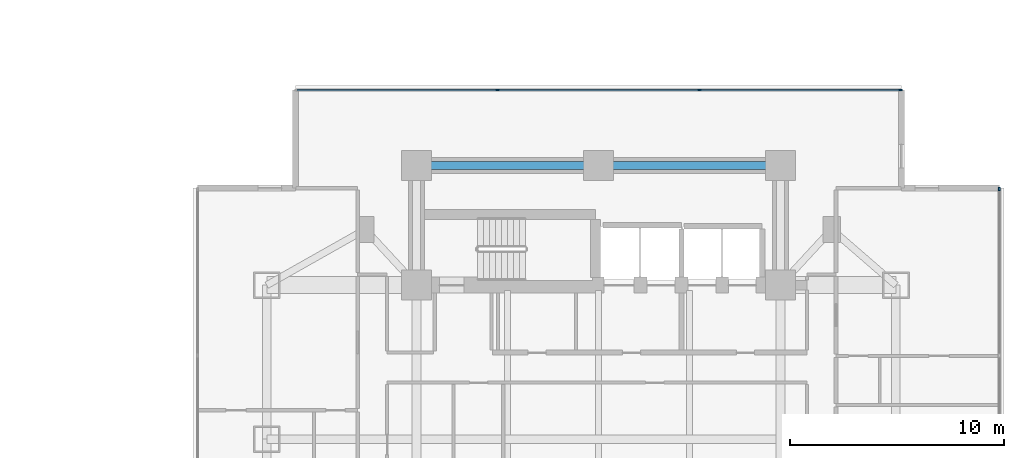
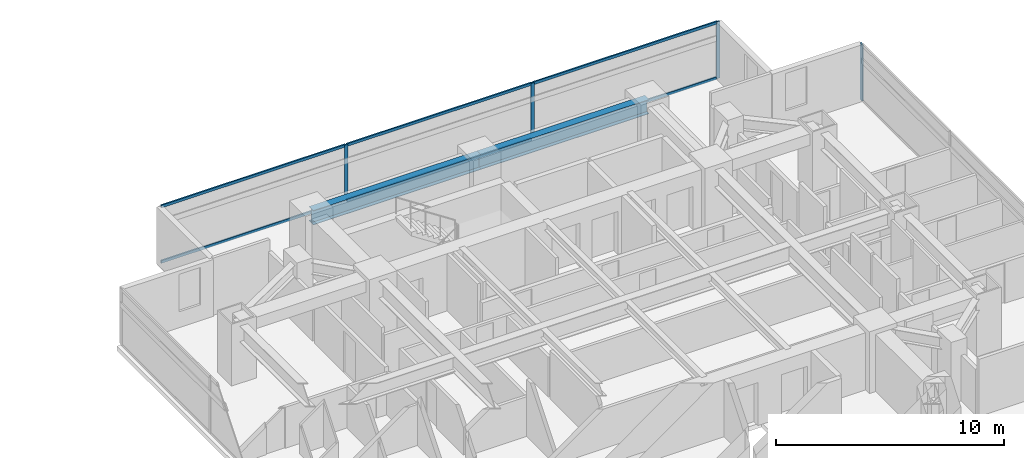
# One storey, part 11 of 25: 10 members, 2 beams, 2 elements without a shape of their own.
"""IFC4 building model written with IfcOpenShell, lengths in metres."""

from ifc_helpers import new_model, si_unit, direction, frame, origin, origin_2d, place, context, subcontext, project, spatial, rectangle, i_section, extrude, material, material_profile, profile_set, type_object, element, aggregate, save


model = new_model("IFC4")

# Units and contexts
model_context = context("Model", 3, precision=1e-05, world=origin(), true_north=direction((0.0, 1.0)))
body_context = subcontext(model_context, "Body", "Model", "MODEL_VIEW")
ifc_project = project(units=[si_unit("LENGTHUNIT", "METRE"), si_unit("AREAUNIT", "SQUARE_METRE"), si_unit("VOLUMEUNIT", "CUBIC_METRE"), si_unit("PLANEANGLEUNIT", "RADIAN"), si_unit("MASSUNIT", "GRAM", prefix="KILO")], contexts=[model_context])

# Site, building, storey
site_placement = place(None, origin())
site = spatial("IfcSite", under=ifc_project, at=site_placement, CompositionType="ELEMENT")
building_placement = place(site_placement, origin())
building = spatial("IfcBuilding", under=site, at=building_placement, Name="Mirazonda Arch Towers", CompositionType="ELEMENT")
storey_placement = place(building_placement, frame((0.0, 0.0, 35.60009765625)))
storey = spatial("IfcBuildingStorey", under=building, at=storey_placement, Name="L09", CompositionType="ELEMENT", Elevation=35.60009765625)

# Beams
ifc_material_1 = material(Name="Steel ASTM A992 Grade 50", Category="steel")
ifc_material_profile_1 = material_profile(ifc_material_1, i_section(OverallWidth=0.381103515625, OverallDepth=0.77294921875, WebThickness=0.0166015625, FlangeThickness=0.027099609375, at=origin_2d()), Name="W30X173")
ifc_profile_set_1 = profile_set([ifc_material_profile_1], Name="Steel ASTM A992 Grade 50")
beam_type = type_object("IfcBeamType", Name="BM-INT-W30X173", PredefinedType="USERDEFINED", material=ifc_profile_set_1)
for number, where, z_axis, x_axis, name in (
    (1, (68.0, 40.800048828125, 2.67333984375), (1.0, 0.0, 0.0), (0.0, 1.0, 0.0), "L09 Floor Beam BM-T2-L09-CN1"),
    (2, (76.5, 40.800048828125, 2.67333984375), (1.0, 0.0, 0.0), (0.0, 1.0, 0.0), "L09 Floor Beam BM-T2-L09-CN2"),
):
    element("IfcBeam", number, at=place(storey_placement, frame(where, z_axis=z_axis, x_axis=x_axis)), inside=storey, type_object=beam_type, Name=name, ObjectType="GIRDER", PredefinedType="USERDEFINED", context=body_context, shape_type="SweptSolid", body=[
        extrude(i_section(OverallWidth=0.381103515625, OverallDepth=0.77294921875, WebThickness=0.0166015625, FlangeThickness=0.027099609375, at=origin_2d()), origin(), (0.0, 0.0, 1.0), 8.5),
    ])

# Curtain wall, member
ifc_material_2 = material(Name="Anodised Aluminium and Low-E Glass", Category="aluminium")
curtain_wall_type = type_object("IfcCurtainWallType", Name="CW-HTL-UNIT", PredefinedType="NOTDEFINED", material=ifc_material_2)
curtain_wall_1_placement = place(storey_placement, origin())
curtain_wall_1 = element("IfcCurtainWall", 3, at=curtain_wall_1_placement, inside=storey, type_object=curtain_wall_type, Name="L09 T2 E Facade CW-L09-T2-E", PredefinedType="NOTDEFINED")
ifc_material_3 = material(Name="Anodised Aluminium Alloy", Category="aluminium")
ifc_material_profile_2 = material_profile(ifc_material_3, rectangle(XDim=0.074951171875, YDim=0.1650390625, at=origin_2d()), Name="ALU-MULL-75x165")
ifc_profile_set_2 = profile_set([ifc_material_profile_2], Name="Anodised Aluminium Alloy")
member_type_1 = type_object("IfcMemberType", Name="MULL-CW-HTL-UNIT", PredefinedType="MULLION", material=ifc_profile_set_2)
member_1_placement = place(storey_placement, frame((95.23193359375, 39.69580078125, 0.0), z_axis=(0.0, 0.0, 1.0), x_axis=(-1.0, 0.0, 0.0)))
member_1 = element("IfcMember", 4, at=member_1_placement, type_object=member_type_1, Name="CW-112 mullion 4", PredefinedType="MULLION", context=body_context, shape_type="SweptSolid", body=[
    extrude(rectangle(XDim=0.074951171875, YDim=0.1650390625, at=origin_2d()), origin(), (0.0, 0.0, 1.0), 3.039794921875),
])
aggregate(curtain_wall_1, [member_1])

# Curtain wall, members
curtain_wall_2_placement = place(storey_placement, origin())
curtain_wall_2 = element("IfcCurtainWall", 5, at=curtain_wall_2_placement, inside=storey, type_object=curtain_wall_type, Name="L09 T2 N Facade CW-L09-T2-N", PredefinedType="NOTDEFINED")
member_2_placement = place(storey_placement, frame((71.78271484375, 44.313232421875, 0.0), z_axis=(0.0, 0.0, 1.0), x_axis=(0.0, 1.0, 0.0)))
member_2 = element("IfcMember", 6, at=member_2_placement, type_object=member_type_1, Name="CW-112 mullion 2", PredefinedType="MULLION", context=body_context, shape_type="SweptSolid", body=[
    extrude(rectangle(XDim=0.074951171875, YDim=0.1650390625, at=origin_2d()), origin(), (0.0, 0.0, 1.0), 3.039794921875),
])
member_3_placement = place(storey_placement, frame((81.21728515625, 44.313232421875, 0.0), z_axis=(0.0, 0.0, 1.0), x_axis=(0.0, 1.0, 0.0)))
member_3 = element("IfcMember", 7, at=member_3_placement, type_object=member_type_1, Name="CW-112 mullion 3", PredefinedType="MULLION", context=body_context, shape_type="SweptSolid", body=[
    extrude(rectangle(XDim=0.074951171875, YDim=0.1650390625, at=origin_2d()), origin(), (0.0, 0.0, 1.0), 3.039794921875),
])
member_4_placement = place(storey_placement, frame((90.614501953125, 44.313232421875, 0.0), z_axis=(0.0, 0.0, 1.0), x_axis=(0.0, 1.0, 0.0)))
member_4 = element("IfcMember", 8, at=member_4_placement, type_object=member_type_1, Name="CW-112 mullion 4", PredefinedType="MULLION", context=body_context, shape_type="SweptSolid", body=[
    extrude(rectangle(XDim=0.074951171875, YDim=0.1650390625, at=origin_2d()), origin(), (0.0, 0.0, 1.0), 3.039794921875),
])
ifc_material_profile_3 = material_profile(ifc_material_3, rectangle(XDim=0.074951171875, YDim=0.14501953125, at=origin_2d()), Name="ALU-TRAN-75x145")
ifc_profile_set_3 = profile_set([ifc_material_profile_3], Name="Anodised Aluminium Alloy")
member_type_2 = type_object("IfcMemberType", Name="TRAN-CW-HTL-UNIT", PredefinedType="USERDEFINED", material=ifc_profile_set_3)
member_5_placement = place(storey_placement, frame((62.423095703125, 44.313232421875, 0.037353515625), z_axis=(1.0, 0.0, 0.0), x_axis=(0.0, 1.0, 0.0)))
member_5 = element("IfcMember", 9, at=member_5_placement, type_object=member_type_2, Name="CW-112 transom 1.1", ObjectType="TRANSOM", PredefinedType="USERDEFINED", context=body_context, shape_type="SweptSolid", body=[
    extrude(rectangle(XDim=0.074951171875, YDim=0.14501953125, at=origin_2d()), origin(), (0.0, 0.0, 1.0), 9.322021484375),
])
member_6_placement = place(storey_placement, frame((62.423095703125, 44.313232421875, 3.00244140625), z_axis=(1.0, 0.0, 0.0), x_axis=(0.0, 1.0, 0.0)))
member_6 = element("IfcMember", 10, at=member_6_placement, type_object=member_type_2, Name="CW-112 transom 1.2", ObjectType="TRANSOM", PredefinedType="USERDEFINED", context=body_context, shape_type="SweptSolid", body=[
    extrude(rectangle(XDim=0.074951171875, YDim=0.14501953125, at=origin_2d()), origin(), (0.0, 0.0, 1.0), 9.322021484375),
])
member_7_placement = place(storey_placement, frame((71.820068359375, 44.313232421875, 0.037353515625), z_axis=(1.0, 0.0, 0.0), x_axis=(0.0, 1.0, 0.0)))
member_7 = element("IfcMember", 11, at=member_7_placement, type_object=member_type_2, Name="CW-112 transom 2.1", ObjectType="TRANSOM", PredefinedType="USERDEFINED", context=body_context, shape_type="SweptSolid", body=[
    extrude(rectangle(XDim=0.074951171875, YDim=0.14501953125, at=origin_2d()), origin(), (0.0, 0.0, 1.0), 9.35986328125),
])
member_8_placement = place(storey_placement, frame((71.820068359375, 44.313232421875, 3.00244140625), z_axis=(1.0, 0.0, 0.0), x_axis=(0.0, 1.0, 0.0)))
member_8 = element("IfcMember", 12, at=member_8_placement, type_object=member_type_2, Name="CW-112 transom 2.2", ObjectType="TRANSOM", PredefinedType="USERDEFINED", context=body_context, shape_type="SweptSolid", body=[
    extrude(rectangle(XDim=0.074951171875, YDim=0.14501953125, at=origin_2d()), origin(), (0.0, 0.0, 1.0), 9.35986328125),
])
member_9_placement = place(storey_placement, frame((81.2548828125, 44.313232421875, 0.037353515625), z_axis=(1.0, 0.0, 0.0), x_axis=(0.0, 1.0, 0.0)))
member_9 = element("IfcMember", 13, at=member_9_placement, type_object=member_type_2, Name="CW-112 transom 3.1", ObjectType="TRANSOM", PredefinedType="USERDEFINED", context=body_context, shape_type="SweptSolid", body=[
    extrude(rectangle(XDim=0.074951171875, YDim=0.14501953125, at=origin_2d()), origin(), (0.0, 0.0, 1.0), 9.322021484375),
])
member_10_placement = place(storey_placement, frame((81.2548828125, 44.313232421875, 3.00244140625), z_axis=(1.0, 0.0, 0.0), x_axis=(0.0, 1.0, 0.0)))
member_10 = element("IfcMember", 14, at=member_10_placement, type_object=member_type_2, Name="CW-112 transom 3.2", ObjectType="TRANSOM", PredefinedType="USERDEFINED", context=body_context, shape_type="SweptSolid", body=[
    extrude(rectangle(XDim=0.074951171875, YDim=0.14501953125, at=origin_2d()), origin(), (0.0, 0.0, 1.0), 9.322021484375),
])
aggregate(curtain_wall_2, [member_2, member_3, member_4, member_5, member_6, member_7, member_8, member_9, member_10])

save(model, "model.ifc")
